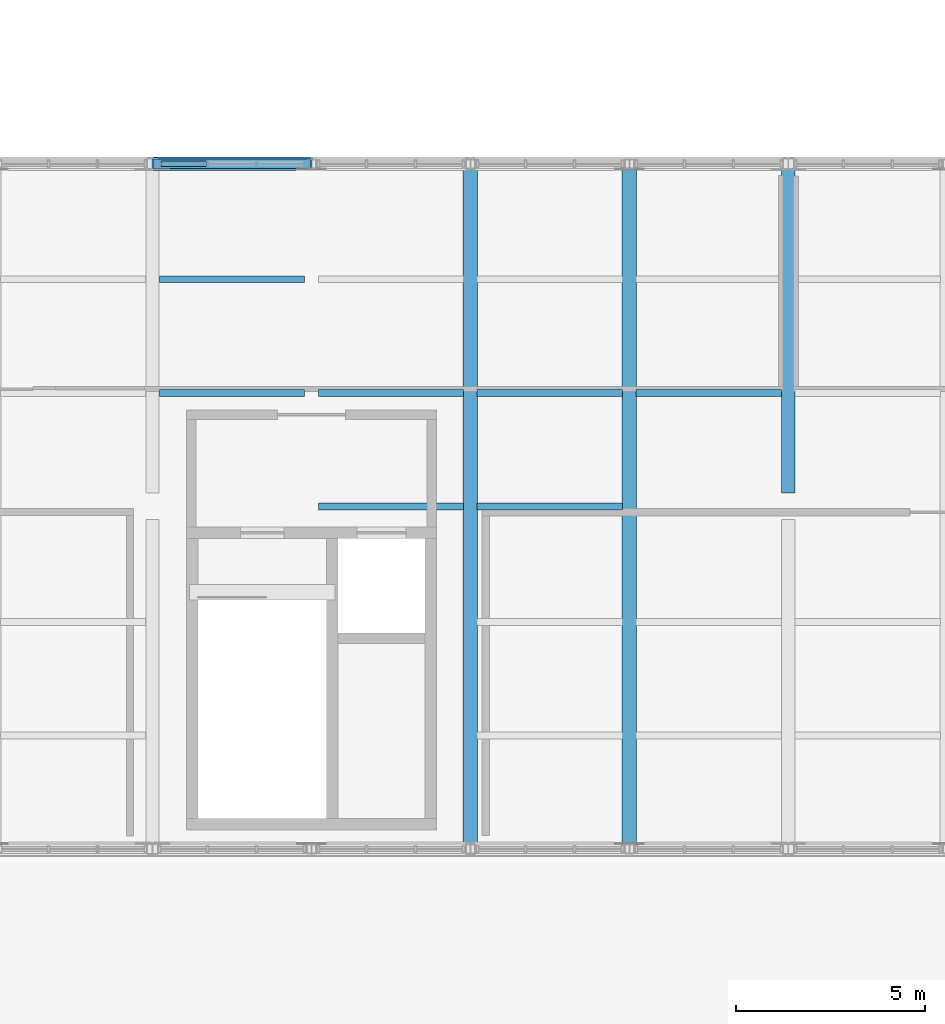
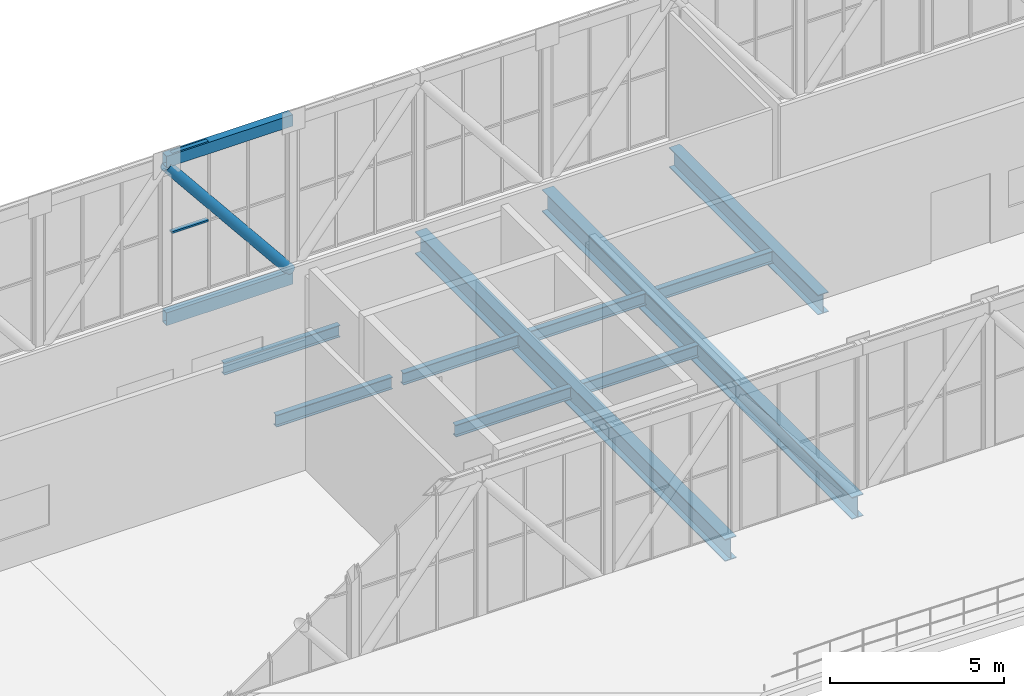
# One storey, part 23 of 58: 10 beams, 5 members, 1 element without a shape of its own.
"""IFC4 building model written with IfcOpenShell, lengths in metres."""

from ifc_helpers import new_model, si_unit, direction, frame, origin, origin_2d, place, context, subcontext, project, spatial, hollow_rectangle, hollow_circle, i_section, extrude, material, material_profile, profile_set, type_object, element, aggregate, save


model = new_model("IFC4")

# Units and contexts
model_context = context("Model", 3, precision=1e-05, world=origin(), true_north=direction((0.0, 1.0)))
body_context = subcontext(model_context, "Body", "Model", "MODEL_VIEW")
ifc_project = project(units=[si_unit("LENGTHUNIT", "METRE"), si_unit("AREAUNIT", "SQUARE_METRE"), si_unit("VOLUMEUNIT", "CUBIC_METRE"), si_unit("PLANEANGLEUNIT", "RADIAN"), si_unit("MASSUNIT", "GRAM", prefix="KILO")], contexts=[model_context])

# Site, building, storey
site_placement = place(None, origin())
site = spatial("IfcSite", under=ifc_project, at=site_placement, CompositionType="ELEMENT")
building_placement = place(site_placement, origin())
building = spatial("IfcBuilding", under=site, at=building_placement, Name="Khurvash Pelagic Aquarium", CompositionType="ELEMENT")
storey_placement = place(building_placement, frame((0.0, 0.0, 24.60009765625)))
storey = spatial("IfcBuildingStorey", under=building, at=storey_placement, Name="L05", CompositionType="ELEMENT", Elevation=24.60009765625)

# Beams
ifc_material_1 = material(Name="Steel ASTM A992 Grade 50", Category="steel")
ifc_material_profile_1 = material_profile(ifc_material_1, i_section(OverallWidth=0.381103515625, OverallDepth=0.77197265625, WebThickness=0.0166015625, FlangeThickness=0.027099609375, at=origin_2d()), Name="W30X173")
ifc_profile_set_1 = profile_set([ifc_material_profile_1], Name="Steel ASTM A992 Grade 50")
beam_type_1 = type_object("IfcBeamType", Name="BM-08", PredefinedType="BEAM", material=ifc_profile_set_1)
for number, where, z_axis, x_axis, name in (
    (1, (67.199951171875, 11.81005859375, -0.68603515625), (0.0, 1.0, 0.0), (-1.0, 0.0, 0.0), "L05 Sky-Bar Transverse Floor Girder BM-08 N14"),
    (2, (71.39990234375, 11.81005859375, -0.68603515625), (0.0, 1.0, 0.0), (-1.0, 0.0, 0.0), "L05 Sky-Bar Transverse Floor Girder BM-08 N15"),
):
    element("IfcBeam", number, at=place(storey_placement, frame(where, z_axis=z_axis, x_axis=x_axis)), inside=storey, type_object=beam_type_1, Name=name, PredefinedType="BEAM", context=body_context, shape_type="SweptSolid", body=[
        extrude(i_section(OverallWidth=0.381103515625, OverallDepth=0.77197265625, WebThickness=0.0166015625, FlangeThickness=0.027099609375, at=origin_2d()), origin(), (0.0, 0.0, 1.0), 17.780029296875),
    ])
ifc_material_profile_2 = material_profile(ifc_material_1, i_section(OverallWidth=0.35595703125, OverallDepth=0.696044921875, WebThickness=0.015380859375, FlangeThickness=0.02490234375, at=origin_2d()), Name="W27X146")
ifc_profile_set_2 = profile_set([ifc_material_profile_2], Name="Steel ASTM A992 Grade 50")
beam_type_2 = type_object("IfcBeamType", Name="BM-09", PredefinedType="BEAM", material=ifc_profile_set_2)
beam_1_placement = place(storey_placement, frame((75.60009765625, 21.050048828125, -0.648193359375), z_axis=(0.0, 1.0, 0.0), x_axis=(-1.0, 0.0, 0.0)))
element("IfcBeam", 3, at=beam_1_placement, inside=storey, type_object=beam_type_2, Name="L05 Sky-Bar Transverse Floor Girder BM-09 N16", PredefinedType="BEAM", context=body_context, shape_type="SweptSolid", body=[
    extrude(i_section(OverallWidth=0.35595703125, OverallDepth=0.696044921875, WebThickness=0.015380859375, FlangeThickness=0.02490234375, at=origin_2d()), origin(), (0.0, 0.0, 1.0), 8.5400390625),
])

# Curtain wall, members
ifc_material_2 = material(Name="Anodised aluminium and low-E laminated glass", Category="aluminium")
curtain_wall_type = type_object("IfcCurtainWallType", Name="CW-01", PredefinedType="USERDEFINED", material=ifc_material_2)
curtain_wall_placement = place(storey_placement, origin())
curtain_wall = element("IfcCurtainWall", 4, at=curtain_wall_placement, inside=storey, type_object=curtain_wall_type, Name="L05 North Sky-Bar Unitised Curtain Wall CW-01 P12", ObjectType="UNITISED CURTAIN WALL", PredefinedType="USERDEFINED")
ifc_material_3 = material(Name="Extruded aluminium AW-6063-T6", Category="aluminium")
ifc_material_profile_3 = material_profile(ifc_material_3, hollow_rectangle(XDim=0.139892578125, YDim=0.06005859375, WallThickness=0.00390625, at=origin_2d()), Name="CWT140X60X4")
ifc_profile_set_3 = profile_set([ifc_material_profile_3], Name="Extruded aluminium AW-6063-T6")
member_type_1 = type_object("IfcMemberType", Name="CT-01", PredefinedType="USERDEFINED", material=ifc_profile_set_3)
member_1_placement = place(storey_placement, frame((59.02001953125, 29.75, 2.39990234375), z_axis=(1.0, 0.0, 0.0), x_axis=(0.0, 1.0, 0.0)))
member_1 = element("IfcMember", 5, at=member_1_placement, type_object=member_type_1, Name="CW-01 transom 1.2", ObjectType="TRANSOM", PredefinedType="USERDEFINED", context=body_context, shape_type="SweptSolid", body=[
    extrude(hollow_rectangle(XDim=0.139892578125, YDim=0.06005859375, WallThickness=0.00390625, at=origin_2d()), origin(), (0.0, 0.0, 1.0), 1.203369140625),
])
member_2_placement = place(storey_placement, frame((59.02001953125, 29.75, 5.14990234375), z_axis=(1.0, 0.0, 0.0), x_axis=(0.0, 1.0, 0.0)))
member_2 = element("IfcMember", 6, at=member_2_placement, type_object=member_type_1, Name="CW-01 transom 1.3", ObjectType="TRANSOM", PredefinedType="USERDEFINED", context=body_context, shape_type="SweptSolid", body=[
    extrude(hollow_rectangle(XDim=0.139892578125, YDim=0.06005859375, WallThickness=0.00390625, at=origin_2d()), origin(), (0.0, 0.0, 1.0), 1.203369140625),
])
aggregate(curtain_wall, [member_1, member_2])

# Beams
ifc_material_profile_4 = material_profile(ifc_material_1, i_section(OverallWidth=0.180908203125, OverallDepth=0.4169921875, WebThickness=0.010986328125, FlangeThickness=0.018310546875, at=origin_2d()), Name="W16X57")
ifc_profile_set_4 = profile_set([ifc_material_profile_4], Name="Steel ASTM A992 Grade 50")
beam_type_3 = type_object("IfcBeamType", Name="JS-03", PredefinedType="JOIST", material=ifc_profile_set_4)
for number, where, z_axis, x_axis, name in (
    (7, (58.97998046875, 23.699951171875, -0.508544921875), (1.0, 0.0, 0.0), (0.0, 1.0, 0.0), "L05 Sky-Bar Floor Joist JS-03 P12"),
    (8, (58.97998046875, 26.699951171875, -0.508544921875), (1.0, 0.0, 0.0), (0.0, 1.0, 0.0), "L05 Sky-Bar Floor Joist JS-03 P12"),
    (9, (63.179931640625, 20.699951171875, -0.508544921875), (1.0, 0.0, 0.0), (0.0, 1.0, 0.0), "L05 Sky-Bar Floor Joist JS-03 P13"),
    (10, (63.179931640625, 23.699951171875, -0.508544921875), (1.0, 0.0, 0.0), (0.0, 1.0, 0.0), "L05 Sky-Bar Floor Joist JS-03 P13"),
    (11, (67.3798828125, 20.699951171875, -0.508544921875), (1.0, 0.0, 0.0), (0.0, 1.0, 0.0), "L05 Sky-Bar Floor Joist JS-03 P14"),
    (12, (67.3798828125, 23.699951171875, -0.508544921875), (1.0, 0.0, 0.0), (0.0, 1.0, 0.0), "L05 Sky-Bar Floor Joist JS-03 P14"),
):
    element("IfcBeam", number, at=place(storey_placement, frame(where, z_axis=z_axis, x_axis=x_axis)), inside=storey, type_object=beam_type_3, Name=name, PredefinedType="JOIST", context=body_context, shape_type="SweptSolid", body=[
        extrude(i_section(OverallWidth=0.180908203125, OverallDepth=0.4169921875, WebThickness=0.010986328125, FlangeThickness=0.018310546875, at=origin_2d()), origin(), (0.0, 0.0, 1.0), 3.840087890625),
    ])
beam_2_placement = place(storey_placement, frame((71.580078125, 23.699951171875, -0.508544921875), z_axis=(1.0, 0.0, 0.0), x_axis=(0.0, 1.0, 0.0)))
element("IfcBeam", 13, at=beam_2_placement, inside=storey, type_object=beam_type_3, Name="L05 Sky-Bar Floor Joist JS-03 P15", PredefinedType="JOIST", context=body_context, shape_type="SweptSolid", body=[
    extrude(i_section(OverallWidth=0.180908203125, OverallDepth=0.4169921875, WebThickness=0.010986328125, FlangeThickness=0.018310546875, at=origin_2d()), origin(), (0.0, 0.0, 1.0), 3.83984375),
])

# Members
ifc_material_4 = material(Name="Steel S355J2", Category="steel")
ifc_material_profile_5 = material_profile(ifc_material_4, hollow_rectangle(XDim=0.25, YDim=0.449951171875, WallThickness=0.02001953125, at=origin_2d()), Name="RHS450X250X20")
ifc_profile_set_5 = profile_set([ifc_material_profile_5], Name="Steel S355J2")
member_type_2 = type_object("IfcMemberType", Name="TC-01", PredefinedType="CHORD", material=ifc_profile_set_5)
member_3_placement = place(storey_placement, frame((58.81005859375, 29.75, -0.525146484375), z_axis=(1.0, 0.0, 0.0), x_axis=(0.0, 1.0, 0.0)))
element("IfcMember", 14, at=member_3_placement, inside=storey, type_object=member_type_2, Name="L05 North Sky-Bar Warren Truss Bottom Chord TC-01 P12", PredefinedType="CHORD", context=body_context, shape_type="SweptSolid", body=[
    extrude(hollow_rectangle(XDim=0.25, YDim=0.449951171875, WallThickness=0.02001953125, at=origin_2d()), origin(), (0.0, 0.0, 1.0), 4.179931640625),
])
ifc_material_profile_6 = material_profile(ifc_material_4, hollow_rectangle(XDim=0.25, YDim=0.39990234375, WallThickness=0.01611328125, at=origin_2d()), Name="RHS400X250X16")
ifc_profile_set_6 = profile_set([ifc_material_profile_6], Name="Steel S355J2")
member_type_3 = type_object("IfcMemberType", Name="TC-02", PredefinedType="CHORD", material=ifc_profile_set_6)
member_4_placement = place(storey_placement, frame((58.81005859375, 29.75, 4.97998046875), z_axis=(1.0, 0.0, 0.0), x_axis=(0.0, 1.0, 0.0)))
element("IfcMember", 15, at=member_4_placement, inside=storey, type_object=member_type_3, Name="L05 North Sky-Bar Warren Truss Top Chord TC-02 P12", PredefinedType="CHORD", context=body_context, shape_type="SweptSolid", body=[
    extrude(hollow_rectangle(XDim=0.25, YDim=0.39990234375, WallThickness=0.01611328125, at=origin_2d()), origin(), (0.0, 0.0, 1.0), 4.179931640625),
])
ifc_material_profile_7 = material_profile(ifc_material_4, hollow_circle(Radius=0.177734375, WallThickness=0.01416015625, at=origin_2d()), Name="CHS355X14")
ifc_profile_set_7 = profile_set([ifc_material_profile_7], Name="Steel S355J2")
member_type_4 = type_object("IfcMemberType", Name="TD-02", PredefinedType="BRACE", material=ifc_profile_set_7)
member_5_placement = place(storey_placement, frame((58.85009765625, 29.75, 4.77978515625), z_axis=(0.628050658275, 0.0, -0.778172455591), x_axis=(0.0, 1.0, 0.0)))
element("IfcMember", 16, at=member_5_placement, inside=storey, type_object=member_type_4, Name="L05 North Sky-Bar Warren Truss Diagonal TD-02 P12", PredefinedType="BRACE", context=body_context, shape_type="SweptSolid", body=[
    extrude(hollow_circle(Radius=0.177734375, WallThickness=0.01416015625, at=origin_2d()), origin(), (0.0, 0.0, 1.0), 6.52783203125),
])

save(model, "model.ifc")
